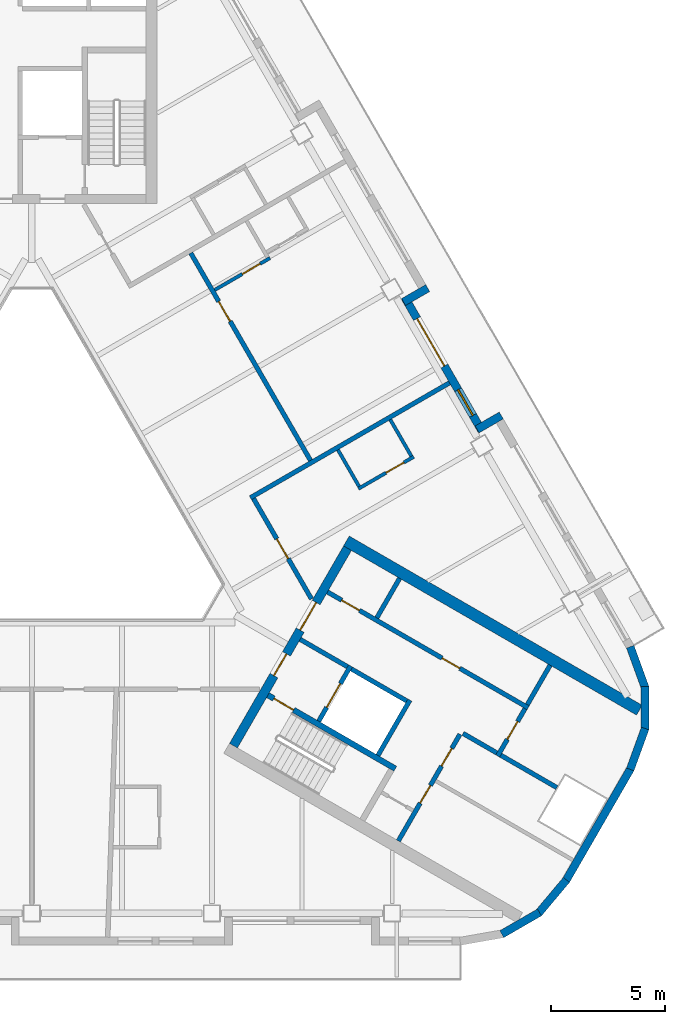
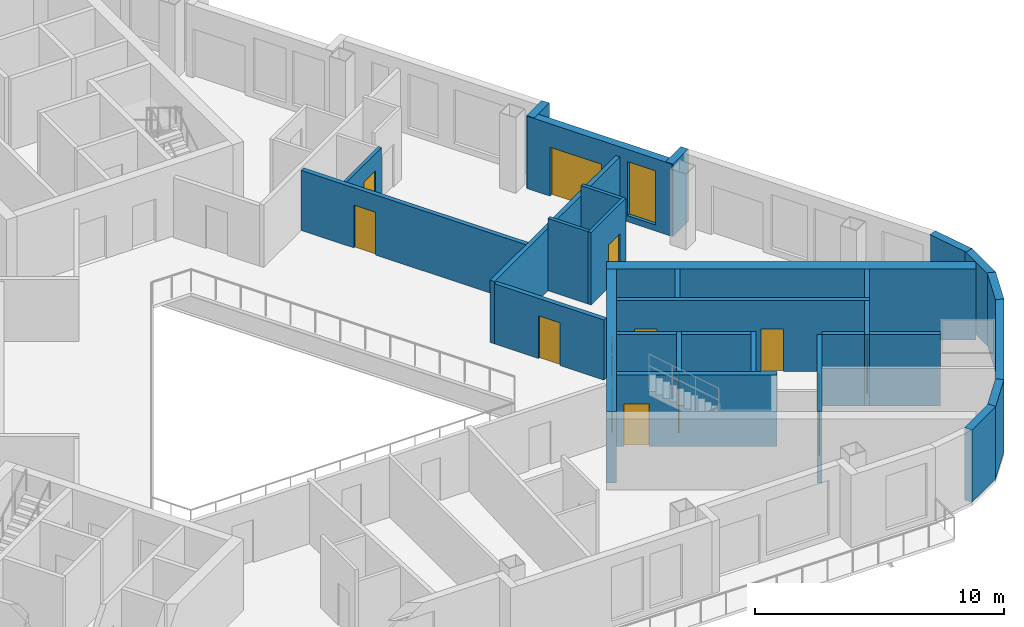
# One storey, part 5 of 13: 30 walls, 14 doors, 1 window, 15 openings.
"""IFC4 building model written with IfcOpenShell, lengths in metres."""

from ifc_helpers import new_model, si_unit, direction, frame, frame_2d, origin, place, context, subcontext, project, spatial, rectangle, extrude, material, layer, layer_set, type_object, element, fill, save


model = new_model("IFC4")

# Units and contexts
model_context = context("Model", 3, precision=1e-05, world=origin(), true_north=direction((0.0, 1.0)))
body_context = subcontext(model_context, "Body", "Model", "MODEL_VIEW")
ifc_project = project(units=[si_unit("LENGTHUNIT", "METRE"), si_unit("AREAUNIT", "SQUARE_METRE"), si_unit("VOLUMEUNIT", "CUBIC_METRE"), si_unit("PLANEANGLEUNIT", "RADIAN"), si_unit("MASSUNIT", "GRAM", prefix="KILO")], contexts=[model_context])

# Site, building, storey
site_placement = place(None, origin())
site = spatial("IfcSite", under=ifc_project, at=site_placement, CompositionType="ELEMENT")
building_placement = place(site_placement, origin())
building = spatial("IfcBuilding", under=site, at=building_placement, Name="Apuvela Tower Hotel", CompositionType="ELEMENT")
storey_placement = place(building_placement, frame((0.0, 0.0, 187.300048828125)))
storey = spatial("IfcBuildingStorey", under=building, at=storey_placement, Name="L45", CompositionType="ELEMENT", Elevation=187.300048828125)

# Wall, openings, doors
ifc_material_1 = material(Name="Concrete C50/60", Category="concrete")
ifc_layer_1 = layer(ifc_material_1, 0.39990234375)
ifc_layer_set_1 = layer_set([ifc_layer_1], Name="COR-WALL-CORE-400")
wall_type_1 = type_object("IfcWallType", Name="COR-WALL-CORE-400", PredefinedType="SHEAR", material=ifc_layer_set_1)
wall_1_placement = place(storey_placement, frame((8.844970703125, -10.880126953125, 0.0), z_axis=(0.0, 0.0, 1.0), x_axis=(0.500004234368, 0.866022959057, 0.0)))
wall_1 = element("IfcWall", 1, at=wall_1_placement, inside=storey, type_object=wall_type_1, Name="Core wall SE", PredefinedType="SHEAR", context=body_context, shape_type="SweptSolid", body=[
    extrude(rectangle(XDim=10.0, YDim=0.39990234375, at=frame_2d((5.0, 0.0))), origin(), (0.0, 0.0, 1.0), 3.5),
])
opening_1_placement = place(wall_1_placement, frame((3.550048828125, 0.0, 0.0)))
opening_1 = element("IfcOpeningElement", 2, at=opening_1_placement, cuts=wall_1, Name="Opening E-FD", PredefinedType="OPENING", context=body_context, shape_type="SweptSolid", body=[
    extrude(rectangle(XDim=1.10009765625, YDim=2.10009765625, at=frame_2d((0.550048828125, 1.050048828125))), frame((0.0, 0.2099609375, 0.0), z_axis=(0.0, -1.0, 0.0), x_axis=(1.0, 0.0, 0.0)), (0.0, 0.0, 1.0), 0.419921875),
])
opening_2_placement = place(wall_1_placement, frame((5.85009765625, 0.0, 0.0)))
opening_2 = element("IfcOpeningElement", 3, at=opening_2_placement, cuts=wall_1, Name="Opening E-GD", PredefinedType="OPENING", context=body_context, shape_type="SweptSolid", body=[
    extrude(rectangle(XDim=1.39990234375, YDim=2.10009765625, at=frame_2d((0.699951171875, 1.050048828125))), frame((0.0, 0.2099609375, 0.0), z_axis=(0.0, -1.0, 0.0), x_axis=(1.0, 0.0, 0.0)), (0.0, 0.0, 1.0), 0.419921875),
])
ifc_material_2 = material(Name="Steel fire door, powder coated", Category="steel")
door_type_1 = type_object("IfcDoorType", Name="COR-FD-1100", OperationType="NOTDEFINED", PredefinedType="DOOR", material=ifc_material_2)
door_1_placement = place(opening_1_placement, frame((1.10009765625, 0.0, 0.0), z_axis=(0.0, 0.0, 1.0), x_axis=(-1.0, 0.0, 0.0)))
door_1 = element("IfcDoor", 4, at=door_1_placement, inside=storey, type_object=door_type_1, Name="Firefighting lobby door E-FD", OperationType="SINGLE_SWING_LEFT", OverallHeight=2.10009765625, OverallWidth=1.10009765625, PredefinedType="DOOR", context=body_context, shape_type="SweptSolid", body=[
    extrude(rectangle(XDim=1.10009765625, YDim=2.10009765625, at=frame_2d((0.550048828125, 1.050048828125))), frame((0.0, 0.02490234375, 0.0), z_axis=(0.0, -1.0, 0.0), x_axis=(1.0, 0.0, 0.0)), (0.0, 0.0, 1.0), 0.050048828125),
])
fill(opening_1, door_1)
ifc_material_3 = material(Name="Glazed steel fire door", Category="steel")
door_type_2 = type_object("IfcDoorType", Name="COR-GD-1400", OperationType="DOUBLE_DOOR_SINGLE_SWING", PredefinedType="DOOR", material=ifc_material_3)
door_2_placement = place(opening_2_placement, frame((1.39990234375, 0.0, 0.0), z_axis=(0.0, 0.0, 1.0), x_axis=(-1.0, 0.0, 0.0)))
door_2 = element("IfcDoor", 5, at=door_2_placement, inside=storey, type_object=door_type_2, Name="Lift lobby door E-GD", OperationType="DOUBLE_DOOR_SINGLE_SWING", OverallHeight=2.10009765625, OverallWidth=1.39990234375, PredefinedType="DOOR", context=body_context, shape_type="SweptSolid", body=[
    extrude(rectangle(XDim=1.39990234375, YDim=2.10009765625, at=frame_2d((0.699951171875, 1.050048828125))), frame((0.0, 0.02490234375, 0.0), z_axis=(0.0, -1.0, 0.0), x_axis=(1.0, 0.0, 0.0)), (0.0, 0.0, 1.0), 0.050048828125),
])
fill(opening_2, door_2)

# Wall
ifc_layer_2 = layer(ifc_material_1, 0.5)
ifc_layer_set_2 = layer_set([ifc_layer_2], Name="COR-WALL-CORE-500")
wall_type_2 = type_object("IfcWallType", Name="COR-WALL-CORE-500", PredefinedType="SHEAR", material=ifc_layer_set_2)
wall_2_placement = place(storey_placement, frame((13.796630859375, -1.9033203125, 0.0), z_axis=(0.0, 0.0, 1.0), x_axis=(0.866025009528, -0.500000682871, 0.0)))
element("IfcWall", 6, at=wall_2_placement, inside=storey, type_object=wall_type_2, Name="Core wall SE", PredefinedType="SHEAR", context=body_context, shape_type="SweptSolid", body=[
    extrude(rectangle(XDim=14.8369140625, YDim=0.5, at=frame_2d((7.41845703125, 0.0))), origin(), (0.0, 0.0, 1.0), 3.5),
])

# Wall, openings, doors
ifc_material_4 = material(Name="Blockwork 200 mm plastered", Category="masonry")
ifc_layer_3 = layer(ifc_material_4, 0.199951171875)
ifc_layer_set_3 = layer_set([ifc_layer_3], Name="COR-WALL-PART-200")
wall_type_3 = type_object("IfcWallType", Name="COR-WALL-PART-200", PredefinedType="PARTITIONING", material=ifc_layer_set_3)
wall_3_placement = place(storey_placement, frame((16.076171875, -15.05517578125, 0.0), z_axis=(0.0, 0.0, 1.0), x_axis=(0.499995103361, 0.866028230842, 0.0)))
wall_3 = element("IfcWall", 7, at=wall_3_placement, inside=storey, type_object=wall_type_3, Name="Partition SE", PredefinedType="PARTITIONING", context=body_context, shape_type="SweptSolid", body=[
    extrude(rectangle(XDim=5.39990234375, YDim=0.199951171875, at=frame_2d((2.699951171875, 0.0))), origin(), (0.0, 0.0, 1.0), 3.5),
])
opening_3_placement = place(wall_3_placement, frame((1.91259765625, 0.0, 0.0)))
opening_3 = element("IfcOpeningElement", 8, at=opening_3_placement, cuts=wall_3, Name="Opening E-RS1", PredefinedType="OPENING", context=body_context, shape_type="SweptSolid", body=[
    extrude(rectangle(XDim=0.89990234375, YDim=2.10009765625, at=frame_2d((0.449951171875, 1.050048828125))), frame((0.0, 0.10986328125, 0.0), z_axis=(0.0, -1.0, 0.0), x_axis=(1.0, 0.0, 0.0)), (0.0, 0.0, 1.0), 0.219970703125),
])
opening_4_placement = place(wall_3_placement, frame((3.78759765625, 0.0, 0.0)))
opening_4 = element("IfcOpeningElement", 9, at=opening_4_placement, cuts=wall_3, Name="Opening E-RS2", PredefinedType="OPENING", context=body_context, shape_type="SweptSolid", body=[
    extrude(rectangle(XDim=0.89990234375, YDim=2.10009765625, at=frame_2d((0.449951171875, 1.050048828125))), frame((0.0, 0.10986328125, 0.0), z_axis=(0.0, -1.0, 0.0), x_axis=(1.0, 0.0, 0.0)), (0.0, 0.0, 1.0), 0.219970703125),
])
door_type_3 = type_object("IfcDoorType", Name="COR-DR-900", OperationType="NOTDEFINED", PredefinedType="DOOR", material=ifc_material_2)
door_3_placement = place(opening_3_placement, frame((0.89990234375, 0.0, 0.0), z_axis=(0.0, 0.0, 1.0), x_axis=(-1.0, 0.0, 0.0)))
door_3 = element("IfcDoor", 10, at=door_3_placement, inside=storey, type_object=door_type_3, Name="Store door E-RS1", OperationType="SINGLE_SWING_LEFT", OverallHeight=2.10009765625, OverallWidth=0.89990234375, PredefinedType="DOOR", context=body_context, shape_type="SweptSolid", body=[
    extrude(rectangle(XDim=0.89990234375, YDim=2.10009765625, at=frame_2d((0.449951171875, 1.050048828125))), frame((0.0, 0.02490234375, 0.0), z_axis=(0.0, -1.0, 0.0), x_axis=(1.0, 0.0, 0.0)), (0.0, 0.0, 1.0), 0.050048828125),
])
fill(opening_3, door_3)
door_4_placement = place(opening_4_placement, frame((0.89990234375, 0.0, 0.0), z_axis=(0.0, 0.0, 1.0), x_axis=(-1.0, 0.0, 0.0)))
door_4 = element("IfcDoor", 11, at=door_4_placement, inside=storey, type_object=door_type_3, Name="Store door E-RS2", OperationType="SINGLE_SWING_LEFT", OverallHeight=2.10009765625, OverallWidth=0.89990234375, PredefinedType="DOOR", context=body_context, shape_type="SweptSolid", body=[
    extrude(rectangle(XDim=0.89990234375, YDim=2.10009765625, at=frame_2d((0.449951171875, 1.050048828125))), frame((0.0, 0.02490234375, 0.0), z_axis=(0.0, -1.0, 0.0), x_axis=(1.0, 0.0, 0.0)), (0.0, 0.0, 1.0), 0.050048828125),
])
fill(opening_4, door_4)

# Wall
ifc_layer_4 = layer(ifc_material_1, 0.199951171875)
ifc_layer_set_4 = layer_set([ifc_layer_4], Name="COR-WALL-SHAFT-200")
wall_type_4 = type_object("IfcWallType", Name="COR-WALL-SHAFT-200", PredefinedType="SHEAR", material=ifc_layer_set_4)
wall_4_placement = place(storey_placement, frame((15.181396484375, -11.305419921875, 0.0), z_axis=(0.0, 0.0, 1.0), x_axis=(0.49994636267, 0.866056369097, 0.0)))
element("IfcWall", 12, at=wall_4_placement, inside=storey, type_object=wall_type_4, Name="Shaft wall SE", PredefinedType="SHEAR", context=body_context, shape_type="SweptSolid", body=[
    extrude(rectangle(XDim=2.800048828125, YDim=0.199951171875, at=frame_2d((1.39990234375, 0.0))), origin(), (0.0, 0.0, 1.0), 3.5),
])

# Wall, opening, door
wall_5_placement = place(storey_placement, frame((12.583251953125, -9.805419921875, 0.0), z_axis=(0.0, 0.0, 1.0), x_axis=(0.49994636267, 0.866056369097, 0.0)))
wall_5 = element("IfcWall", 13, at=wall_5_placement, inside=storey, type_object=wall_type_4, Name="Shaft wall SE", PredefinedType="SHEAR", context=body_context, shape_type="SweptSolid", body=[
    extrude(rectangle(XDim=2.800048828125, YDim=0.199951171875, at=frame_2d((1.39990234375, 0.0))), origin(), (0.0, 0.0, 1.0), 3.5),
])
opening_5_placement = place(wall_5_placement, frame((0.699951171875, 0.0, 0.0)))
opening_5 = element("IfcOpeningElement", 14, at=opening_5_placement, cuts=wall_5, Name="Opening E-LD-FS3", PredefinedType="OPENING", context=body_context, shape_type="SweptSolid", body=[
    extrude(rectangle(XDim=1.199951171875, YDim=2.10009765625, at=frame_2d((0.60009765625, 1.050048828125))), frame((0.0, 0.10986328125, 0.0), z_axis=(0.0, -1.0, 0.0), x_axis=(1.0, 0.0, 0.0)), (0.0, 0.0, 1.0), 0.219970703125),
])
ifc_material_5 = material(Name="Stainless steel lift landing door", Category="steel")
door_type_4 = type_object("IfcDoorType", Name="COR-LD-1200", OperationType="DOUBLE_DOOR_SLIDING", PredefinedType="DOOR", material=ifc_material_5)
door_5_placement = place(opening_5_placement, origin())
door_5 = element("IfcDoor", 15, at=door_5_placement, inside=storey, type_object=door_type_4, Name="Lift landing door E-LD-FS3", OperationType="DOUBLE_DOOR_SLIDING", OverallHeight=2.10009765625, OverallWidth=1.199951171875, PredefinedType="DOOR", context=body_context, shape_type="SweptSolid", body=[
    extrude(rectangle(XDim=1.199951171875, YDim=2.10009765625, at=frame_2d((0.60009765625, 1.050048828125))), frame((0.0, 0.02490234375, 0.0), z_axis=(0.0, -1.0, 0.0), x_axis=(1.0, 0.0, 0.0)), (0.0, 0.0, 1.0), 0.050048828125),
])
fill(opening_5, door_5)

# Walls
wall_6_placement = place(storey_placement, frame((11.76806640625, -6.217041015625, 0.0), z_axis=(0.0, 0.0, 1.0), x_axis=(0.866050077142, -0.499957262057, 0.0)))
element("IfcWall", 16, at=wall_6_placement, inside=storey, type_object=wall_type_4, Name="Shaft wall SE", PredefinedType="SHEAR", context=body_context, shape_type="SweptSolid", body=[
    extrude(rectangle(XDim=2.400146484375, YDim=0.199951171875, at=frame_2d((1.2001953125, 0.0))), origin(), (0.0, 0.0, 1.0), 3.5),
])
wall_7_placement = place(storey_placement, frame((14.019775390625, -7.51708984375, 0.0), z_axis=(0.0, 0.0, 1.0), x_axis=(0.866034573852, -0.49998411664, 0.0)))
element("IfcWall", 17, at=wall_7_placement, inside=storey, type_object=wall_type_4, Name="Shaft wall SE", PredefinedType="SHEAR", context=body_context, shape_type="SweptSolid", body=[
    extrude(rectangle(XDim=2.7998046875, YDim=0.199951171875, at=frame_2d((1.39990234375, 0.0))), origin(), (0.0, 0.0, 1.0), 3.5),
])

# Wall, openings, doors
wall_8_placement = place(storey_placement, frame((12.968017578125, -4.138427734375, 0.0), z_axis=(0.0, 0.0, 1.0), x_axis=(0.866028328073, -0.49999493495, 0.0)))
wall_8 = element("IfcWall", 18, at=wall_8_placement, inside=storey, type_object=wall_type_4, Name="Shaft wall SE", PredefinedType="SHEAR", context=body_context, shape_type="SweptSolid", body=[
    extrude(rectangle(XDim=10.16015625, YDim=0.199951171875, at=frame_2d((5.080078125, 0.0))), origin(), (0.0, 0.0, 1.0), 3.5),
])
opening_6_placement = place(wall_8_placement, frame((0.719970703125, 0.0, 0.0)))
opening_6 = element("IfcOpeningElement", 19, at=opening_6_placement, cuts=wall_8, Name="Opening E-RE1", PredefinedType="OPENING", context=body_context, shape_type="SweptSolid", body=[
    extrude(rectangle(XDim=0.89990234375, YDim=2.10009765625, at=frame_2d((0.449951171875, 1.050048828125))), frame((0.0, 0.10986328125, 0.0), z_axis=(0.0, -1.0, 0.0), x_axis=(1.0, 0.0, 0.0)), (0.0, 0.0, 1.0), 0.219970703125),
])
opening_7_placement = place(wall_8_placement, frame((5.800048828125, 0.0, 0.0)))
opening_7 = element("IfcOpeningElement", 20, at=opening_7_placement, cuts=wall_8, Name="Opening E-RE2", PredefinedType="OPENING", context=body_context, shape_type="SweptSolid", body=[
    extrude(rectangle(XDim=0.89990234375, YDim=2.10009765625, at=frame_2d((0.449951171875, 1.050048828125))), frame((0.0, 0.10986328125, 0.0), z_axis=(0.0, -1.0, 0.0), x_axis=(1.0, 0.0, 0.0)), (0.0, 0.0, 1.0), 0.219970703125),
])
door_6_placement = place(opening_6_placement, origin())
door_6 = element("IfcDoor", 21, at=door_6_placement, inside=storey, type_object=door_type_3, Name="Store door E-RE1", OperationType="SINGLE_SWING_LEFT", OverallHeight=2.10009765625, OverallWidth=0.89990234375, PredefinedType="DOOR", context=body_context, shape_type="SweptSolid", body=[
    extrude(rectangle(XDim=0.89990234375, YDim=2.10009765625, at=frame_2d((0.449951171875, 1.050048828125))), frame((0.0, 0.02490234375, 0.0), z_axis=(0.0, -1.0, 0.0), x_axis=(1.0, 0.0, 0.0)), (0.0, 0.0, 1.0), 0.050048828125),
])
fill(opening_6, door_6)
door_7_placement = place(opening_7_placement, origin())
door_7 = element("IfcDoor", 22, at=door_7_placement, inside=storey, type_object=door_type_3, Name="Store door E-RE2", OperationType="SINGLE_SWING_LEFT", OverallHeight=2.10009765625, OverallWidth=0.89990234375, PredefinedType="DOOR", context=body_context, shape_type="SweptSolid", body=[
    extrude(rectangle(XDim=0.89990234375, YDim=2.10009765625, at=frame_2d((0.449951171875, 1.050048828125))), frame((0.0, 0.02490234375, 0.0), z_axis=(0.0, -1.0, 0.0), x_axis=(1.0, 0.0, 0.0)), (0.0, 0.0, 1.0), 0.050048828125),
])
fill(opening_7, door_7)

# Wall, opening, door
wall_9_placement = place(storey_placement, frame((20.430419921875, -11.33349609375, 0.0), z_axis=(0.0, 0.0, 1.0), x_axis=(0.500001309137, 0.866024647952, 0.0)))
wall_9 = element("IfcWall", 23, at=wall_9_placement, inside=storey, type_object=wall_type_4, Name="Shaft wall SE", PredefinedType="SHEAR", context=body_context, shape_type="SweptSolid", body=[
    extrude(rectangle(XDim=2.39990234375, YDim=0.199951171875, at=frame_2d((1.199951171875, 0.0))), origin(), (0.0, 0.0, 1.0), 3.5),
])
opening_8_placement = place(wall_9_placement, frame((0.85009765625, 0.0, 0.0)))
opening_8 = element("IfcOpeningElement", 24, at=opening_8_placement, cuts=wall_9, Name="Opening E-REP", PredefinedType="OPENING", context=body_context, shape_type="SweptSolid", body=[
    extrude(rectangle(XDim=0.89990234375, YDim=2.10009765625, at=frame_2d((0.449951171875, 1.050048828125))), frame((0.0, 0.10986328125, 0.0), z_axis=(0.0, -1.0, 0.0), x_axis=(1.0, 0.0, 0.0)), (0.0, 0.0, 1.0), 0.219970703125),
])
door_8_placement = place(opening_8_placement, frame((0.89990234375, 0.0, 0.0), z_axis=(0.0, 0.0, 1.0), x_axis=(-1.0, 0.0, 0.0)))
door_8 = element("IfcDoor", 25, at=door_8_placement, inside=storey, type_object=door_type_3, Name="Store door E-REP", OperationType="SINGLE_SWING_RIGHT", OverallHeight=2.10009765625, OverallWidth=0.89990234375, PredefinedType="DOOR", context=body_context, shape_type="SweptSolid", body=[
    extrude(rectangle(XDim=0.89990234375, YDim=2.10009765625, at=frame_2d((0.449951171875, 1.050048828125))), frame((0.0, 0.02490234375, 0.0), z_axis=(0.0, -1.0, 0.0), x_axis=(1.0, 0.0, 0.0)), (0.0, 0.0, 1.0), 0.050048828125),
])
fill(opening_8, door_8)

# Walls
wall_10_placement = place(storey_placement, frame((18.912841796875, -10.342041015625, 0.0), z_axis=(0.0, 0.0, 1.0), x_axis=(0.866038183914, -0.499977863513, 0.0)))
element("IfcWall", 26, at=wall_10_placement, inside=storey, type_object=wall_type_4, Name="Shaft wall SE", PredefinedType="SHEAR", context=body_context, shape_type="SweptSolid", body=[
    extrude(rectangle(XDim=1.7099609375, YDim=0.199951171875, at=frame_2d((0.85498046875, 0.0))), origin(), (0.0, 0.0, 1.0), 3.5),
])
for number, where, z_axis, x_axis, name in (
    (27, (15.131103515625, -5.27197265625, 0.0), (0.0, 0.0, 1.0), (0.499972520799, 0.866041268327, 0.0), "Shaft wall SE"),
    (28, (21.73046875, -9.081787109375, 0.0), (0.0, 0.0, 1.0), (0.50002537861, 0.866010750942, 0.0), "Shaft wall SE"),
):
    element("IfcWall", number, at=place(storey_placement, frame(where, z_axis=z_axis, x_axis=x_axis)), inside=storey, type_object=wall_type_4, Name=name, PredefinedType="SHEAR", context=body_context, shape_type="SweptSolid", body=[
        extrude(rectangle(XDim=2.0, YDim=0.199951171875, at=frame_2d((1.0, 0.0))), origin(), (0.0, 0.0, 1.0), 3.5),
    ])
wall_11_placement = place(storey_placement, frame((20.56689453125, -11.297119140625, 0.0), z_axis=(0.0, 0.0, 1.0), x_axis=(0.866055327414, -0.49994816717, 0.0)))
element("IfcWall", 29, at=wall_11_placement, inside=storey, type_object=wall_type_4, Name="Shaft wall SE", PredefinedType="SHEAR", context=body_context, shape_type="SweptSolid", body=[
    extrude(rectangle(XDim=2.840087890625, YDim=0.199951171875, at=frame_2d((1.419921875, 0.0))), origin(), (0.0, 0.0, 1.0), 3.5),
])

# Wall, opening, door
ifc_layer_5 = layer(ifc_material_1, 0.25)
ifc_layer_set_5 = layer_set([ifc_layer_5], Name="COR-WALL-STAIR-250")
wall_type_5 = type_object("IfcWallType", Name="COR-WALL-STAIR-250", PredefinedType="SHEAR", material=ifc_layer_set_5)
wall_12_placement = place(storey_placement, frame((10.355712890625, -8.66357421875, 0.0), z_axis=(0.0, 0.0, 1.0), x_axis=(0.866028629588, -0.499994412703, 0.0)))
wall_12 = element("IfcWall", 30, at=wall_12_placement, inside=storey, type_object=wall_type_5, Name="Stair wall SE", PredefinedType="SHEAR", context=body_context, shape_type="SweptSolid", body=[
    extrude(rectangle(XDim=6.44970703125, YDim=0.25, at=frame_2d((3.224853515625, 0.0))), origin(), (0.0, 0.0, 1.0), 3.5),
])
opening_9_placement = place(wall_12_placement, frame((0.300048828125, 0.0, 0.0)))
opening_9 = element("IfcOpeningElement", 31, at=opening_9_placement, cuts=wall_12, Name="Opening E-SD", PredefinedType="OPENING", context=body_context, shape_type="SweptSolid", body=[
    extrude(rectangle(XDim=1.0, YDim=2.10009765625, at=frame_2d((0.5, 1.050048828125))), frame((0.0, 0.135009765625, 0.0), z_axis=(0.0, -1.0, 0.0), x_axis=(1.0, 0.0, 0.0)), (0.0, 0.0, 1.0), 0.27001953125),
])
door_type_5 = type_object("IfcDoorType", Name="COR-SD-1000", OperationType="NOTDEFINED", PredefinedType="DOOR", material=ifc_material_2)
door_9_placement = place(opening_9_placement, frame((1.0, 0.0, 0.0), z_axis=(0.0, 0.0, 1.0), x_axis=(-1.0, 0.0, 0.0)))
door_9 = element("IfcDoor", 32, at=door_9_placement, inside=storey, type_object=door_type_5, Name="Stair door E-SD", OperationType="SINGLE_SWING_LEFT", OverallHeight=2.10009765625, OverallWidth=1.0, PredefinedType="DOOR", context=body_context, shape_type="SweptSolid", body=[
    extrude(rectangle(XDim=1.0, YDim=2.10009765625, at=frame_2d((0.5, 1.050048828125))), frame((0.0, 0.02490234375, 0.0), z_axis=(0.0, -1.0, 0.0), x_axis=(1.0, 0.0, 0.0)), (0.0, 0.0, 1.0), 0.050048828125),
])
fill(opening_9, door_9)

# Walls
ifc_material_6 = material(Name="Concrete C40/50, dark pigmented precast panel", Category="concrete")
ifc_layer_6 = layer(ifc_material_6, 0.35009765625)
ifc_layer_set_6 = layer_set([ifc_layer_6], Name="ENV-WALL-350")
wall_type_6 = type_object("IfcWallType", Name="ENV-WALL-350", PredefinedType="SOLIDWALL", material=ifc_layer_set_6)
for number, where, z_axis, x_axis, name in (
    (33, (20.609619140625, -19.146728515625, 0.0), (0.0, 0.0, 1.0), (0.866000389056, 0.500043324278, 0.0), "External wall L45-27"),
    (34, (22.21728515625, -18.230712890625, 0.0), (0.0, 0.0, 1.0), (0.642733291068, 0.76609001857, 0.0), "External wall L45-28"),
):
    element("IfcWall", number, at=place(storey_placement, frame(where, z_axis=z_axis, x_axis=x_axis)), inside=storey, type_object=wall_type_6, Name=name, PredefinedType="SOLIDWALL", context=body_context, shape_type="SweptSolid", body=[
        extrude(rectangle(XDim=1.909912109375, YDim=0.35009765625, at=frame_2d((0.955078125, 0.0))), origin(), (0.0, 0.0, 1.0), 3.550048828125),
    ])
wall_13_placement = place(storey_placement, frame((23.427490234375, -16.79248046875, 0.0), z_axis=(0.0, 0.0, 1.0), x_axis=(0.500018773155, 0.866014564827, 0.0)))
element("IfcWall", 35, at=wall_13_placement, inside=storey, type_object=wall_type_6, Name="External wall L45-29", PredefinedType="SOLIDWALL", context=body_context, shape_type="SweptSolid", body=[
    extrude(rectangle(XDim=5.657958984375, YDim=0.35009765625, at=frame_2d((2.8291015625, 0.0))), origin(), (0.0, 0.0, 1.0), 3.550048828125),
])
for number, where, z_axis, x_axis, name in (
    (36, (26.24365234375, -11.920166015625, 0.0), (0.0, 0.0, 1.0), (0.342030395486, 0.939688889242, 0.0), "External wall L45-30"),
    (37, (26.88623046875, -10.18505859375, 0.0), (0.0, 0.0, 1.0), (0.0, 1.0, 0.0), "External wall L45-31"),
    (38, (26.89697265625, -8.334716796875, 0.0), (0.0, 0.0, 1.0), (-0.342030395486, 0.939688889242, 0.0), "External wall L45-32"),
):
    element("IfcWall", number, at=place(storey_placement, frame(where, z_axis=z_axis, x_axis=x_axis)), inside=storey, type_object=wall_type_6, Name=name, PredefinedType="SOLIDWALL", context=body_context, shape_type="SweptSolid", body=[
        extrude(rectangle(XDim=1.91015625, YDim=0.35009765625, at=frame_2d((0.955078125, 0.0))), origin(), (0.0, 0.0, 1.0), 3.550048828125),
    ])
wall_14_placement = place(storey_placement, frame((20.587646484375, 3.601318359375, 0.0), z_axis=(0.0, 0.0, 1.0), x_axis=(-0.866005645448, -0.500034220881, 0.0)))
element("IfcWall", 39, at=wall_14_placement, inside=storey, type_object=wall_type_6, Name="External wall L45-34", PredefinedType="SOLIDWALL", context=body_context, shape_type="SweptSolid", body=[
    extrude(rectangle(XDim=1.22021484375, YDim=0.35009765625, at=frame_2d((0.610107421875, 0.0))), origin(), (0.0, 0.0, 1.0), 3.550048828125),
])

# Wall, openings, door, window
wall_15_placement = place(storey_placement, frame((19.72900390625, 2.93798828125, 0.0), z_axis=(0.0, 0.0, 1.0), x_axis=(-0.499976430342, 0.866039011305, 0.0)))
wall_15 = element("IfcWall", 40, at=wall_15_placement, inside=storey, type_object=wall_type_6, Name="External wall L45-35", PredefinedType="SOLIDWALL", context=body_context, shape_type="SweptSolid", body=[
    extrude(rectangle(XDim=6.739990234375, YDim=0.35009765625, at=frame_2d((3.3701171875, 0.0))), origin(), (0.0, 0.0, 1.0), 3.550048828125),
])
opening_10_placement = place(wall_15_placement, frame((0.77001953125, 0.0, 0.300048828125)))
opening_10 = element("IfcOpeningElement", 41, at=opening_10_placement, cuts=wall_15, Name="Opening WN13", PredefinedType="OPENING", context=body_context, shape_type="SweptSolid", body=[
    extrude(rectangle(XDim=1.300048828125, YDim=2.64990234375, at=frame_2d((0.64990234375, 1.324951171875))), frame((0.0, 0.18505859375, 0.0), z_axis=(0.0, -1.0, 0.0), x_axis=(1.0, 0.0, 0.0)), (0.0, 0.0, 1.0), 0.3701171875),
])
opening_11_placement = place(wall_15_placement, frame((3.270263671875, 0.0, 0.0)))
opening_11 = element("IfcOpeningElement", 42, at=opening_11_placement, cuts=wall_15, Name="Opening BD24", PredefinedType="OPENING", context=body_context, shape_type="SweptSolid", body=[
    extrude(rectangle(XDim=2.39990234375, YDim=2.39990234375, at=frame_2d((1.199951171875, 1.199951171875))), frame((0.0, 0.18505859375, 0.0), z_axis=(0.0, -1.0, 0.0), x_axis=(1.0, 0.0, 0.0)), (0.0, 0.0, 1.0), 0.3701171875),
])
ifc_material_7 = material(Name="Aluminium 6063-T6, dark bronze anodised frame with dark tinted laminated glass", Category="aluminium")
door_type_6 = type_object("IfcDoorType", Name="ENV-DOOR-BALCONY-2400x2400", OperationType="SLIDING_TO_LEFT", PredefinedType="DOOR", material=ifc_material_7)
door_10_placement = place(opening_11_placement, frame((2.39990234375, 0.0, 0.0), z_axis=(0.0, 0.0, 1.0), x_axis=(-1.0, 0.0, 0.0)))
door_10 = element("IfcDoor", 43, at=door_10_placement, inside=storey, type_object=door_type_6, Name="Balcony door BD24", OperationType="SLIDING_TO_LEFT", OverallHeight=2.39990234375, OverallWidth=2.39990234375, PredefinedType="DOOR", context=body_context, shape_type="SweptSolid", body=[
    extrude(rectangle(XDim=2.39990234375, YDim=2.39990234375, at=frame_2d((1.199951171875, 1.199951171875))), frame((0.0, 0.02490234375, 0.0), z_axis=(0.0, -1.0, 0.0), x_axis=(1.0, 0.0, 0.0)), (0.0, 0.0, 1.0), 0.050048828125),
])
fill(opening_11, door_10)
ifc_material_8 = material(Name="Glass, dark tinted laminated insulated glazing unit", Category="glass")
window_type = type_object("IfcWindowType", Name="ENV-WIN-1300x2650", PartitioningType="SINGLE_PANEL", PredefinedType="WINDOW", material=ifc_material_8)
window_placement = place(opening_10_placement, origin())
window = element("IfcWindow", 44, at=window_placement, inside=storey, type_object=window_type, Name="Window WN13", OverallHeight=2.64990234375, OverallWidth=1.300048828125, PartitioningType="SINGLE_PANEL", PredefinedType="WINDOW", context=body_context, shape_type="SweptSolid", body=[
    extrude(rectangle(XDim=1.300048828125, YDim=2.64990234375, at=frame_2d((0.64990234375, 1.324951171875))), frame((0.0, 0.030029296875, 0.0), z_axis=(0.0, -1.0, 0.0), x_axis=(1.0, 0.0, 0.0)), (0.0, 0.0, 1.0), 0.06005859375),
])
fill(opening_10, window)

# Walls
wall_16_placement = place(storey_placement, frame((16.305908203125, 8.5771484375, 0.0), z_axis=(0.0, 0.0, 1.0), x_axis=(0.866092288191, 0.499884134912, 0.0)))
element("IfcWall", 45, at=wall_16_placement, inside=storey, type_object=wall_type_6, Name="External wall L45-36", PredefinedType="SOLIDWALL", context=body_context, shape_type="SweptSolid", body=[
    extrude(rectangle(XDim=1.219970703125, YDim=0.35009765625, at=frame_2d((0.60986328125, 0.0))), origin(), (0.0, 0.0, 1.0), 3.550048828125),
])
ifc_material_9 = material(Name="Gypsum board partition on twin steel stud", Category="steel")
ifc_layer_7 = layer(ifc_material_9, 0.199951171875)
ifc_layer_set_7 = layer_set([ifc_layer_7], Name="GST-PW1")
wall_type_7 = type_object("IfcWallType", Name="GST-PW1", PredefinedType="PARTITIONING", material=ifc_layer_set_7)
wall_17_placement = place(storey_placement, frame((18.317626953125, 5.033203125, 0.0), z_axis=(0.0, 0.0, 1.0), x_axis=(-0.866028692387, -0.49999430393, 0.0)))
element("IfcWall", 46, at=wall_17_placement, inside=storey, type_object=wall_type_7, Name="L45 partition 03", PredefinedType="PARTITIONING", context=body_context, shape_type="SweptSolid", body=[
    extrude(rectangle(XDim=10.080078125, YDim=0.199951171875, at=frame_2d((5.0400390625, 0.0))), origin(), (0.0, 0.0, 1.0), 3.06005859375),
])

# Wall, opening, door
ifc_material_10 = material(Name="Gypsum board corridor wall on twin steel stud, acoustic", Category="steel")
ifc_layer_8 = layer(ifc_material_10, 0.199951171875)
ifc_layer_set_8 = layer_set([ifc_layer_8], Name="GST-PW2")
wall_type_8 = type_object("IfcWallType", Name="GST-PW2", PredefinedType="PARTITIONING", material=ifc_layer_set_8)
wall_18_placement = place(storey_placement, frame((9.724609375, -0.04345703125, 0.0), z_axis=(0.0, 0.0, 1.0), x_axis=(0.500014573982, -0.866016989329, 0.0)))
wall_18 = element("IfcWall", 47, at=wall_18_placement, inside=storey, type_object=wall_type_8, Name="L45 partition 18", PredefinedType="PARTITIONING", context=body_context, shape_type="SweptSolid", body=[
    extrude(rectangle(XDim=5.088134765625, YDim=0.199951171875, at=frame_2d((2.5439453125, 0.0))), origin(), (0.0, 0.0, 1.0), 2.949951171875),
])
opening_12_placement = place(wall_18_placement, frame((2.044189453125, 0.0, 0.0)))
opening_12 = element("IfcOpeningElement", 48, at=opening_12_placement, cuts=wall_18, Name="Opening GD17-08", PredefinedType="OPENING", context=body_context, shape_type="SweptSolid", body=[
    extrude(rectangle(XDim=1.0, YDim=2.10009765625, at=frame_2d((0.5, 1.050048828125))), frame((0.0, 0.10986328125, 0.0), z_axis=(0.0, -1.0, 0.0), x_axis=(1.0, 0.0, 0.0)), (0.0, 0.0, 1.0), 0.219970703125),
])
ifc_material_11 = material(Name="Timber door leaf in steel frame", Category="steel")
door_type_7 = type_object("IfcDoorType", Name="GST-D1", OperationType="NOTDEFINED", PredefinedType="DOOR", material=ifc_material_11)
door_11_placement = place(opening_12_placement, origin())
door_11 = element("IfcDoor", 49, at=door_11_placement, inside=storey, type_object=door_type_7, Name="Door L45-08", OperationType="SINGLE_SWING_LEFT", OverallHeight=2.10009765625, OverallWidth=1.0, PredefinedType="DOOR", context=body_context, shape_type="SweptSolid", body=[
    extrude(rectangle(XDim=1.0, YDim=2.10009765625, at=frame_2d((0.5, 1.050048828125))), frame((0.0, 0.02490234375, 0.0), z_axis=(0.0, -1.0, 0.0), x_axis=(1.0, 0.0, 0.0)), (0.0, 0.0, 1.0), 0.050048828125),
])
fill(opening_12, door_11)

wall_19_placement = place(storey_placement, frame((6.97265625, 10.722900390625, 0.0), z_axis=(0.0, 0.0, 1.0), x_axis=(0.500000207062, -0.866025284237, 0.0)))
wall_19 = element("IfcWall", 50, at=wall_19_placement, inside=storey, type_object=wall_type_8, Name="L45 partition 22", PredefinedType="PARTITIONING", context=body_context, shape_type="SweptSolid", body=[
    extrude(rectangle(XDim=10.5, YDim=0.199951171875, at=frame_2d((5.25, 0.0))), origin(), (0.0, 0.0, 1.0), 2.949951171875),
])
opening_13_placement = place(wall_19_placement, frame((2.449951171875, 0.0, 0.0)))
opening_13 = element("IfcOpeningElement", 51, at=opening_13_placement, cuts=wall_19, Name="Opening GD17-11", PredefinedType="OPENING", context=body_context, shape_type="SweptSolid", body=[
    extrude(rectangle(XDim=1.0, YDim=2.10009765625, at=frame_2d((0.5, 1.050048828125))), frame((0.0, 0.10986328125, 0.0), z_axis=(0.0, -1.0, 0.0), x_axis=(1.0, 0.0, 0.0)), (0.0, 0.0, 1.0), 0.219970703125),
])
door_12_placement = place(opening_13_placement, origin())
door_12 = element("IfcDoor", 52, at=door_12_placement, inside=storey, type_object=door_type_7, Name="Door L45-11", OperationType="SINGLE_SWING_RIGHT", OverallHeight=2.10009765625, OverallWidth=1.0, PredefinedType="DOOR", context=body_context, shape_type="SweptSolid", body=[
    extrude(rectangle(XDim=1.0, YDim=2.10009765625, at=frame_2d((0.5, 1.050048828125))), frame((0.0, 0.02490234375, 0.0), z_axis=(0.0, -1.0, 0.0), x_axis=(1.0, 0.0, 0.0)), (0.0, 0.0, 1.0), 0.050048828125),
])
fill(opening_13, door_12)

ifc_material_12 = material(Name="Moisture-resistant gypsum board wet wall on steel stud", Category="steel")
ifc_layer_9 = layer(ifc_material_12, 0.14990234375)
ifc_layer_set_9 = layer_set([ifc_layer_9], Name="GST-PW3")
wall_type_9 = type_object("IfcWallType", Name="GST-PW3", PredefinedType="PARTITIONING", material=ifc_layer_set_9)
wall_20_placement = place(storey_placement, frame((14.324462890625, 0.389404296875, 0.0), z_axis=(0.0, 0.0, 1.0), x_axis=(0.866034573852, 0.49998411664, 0.0)))
wall_20 = element("IfcWall", 53, at=wall_20_placement, inside=storey, type_object=wall_type_9, Name="L45 partition 19", PredefinedType="PARTITIONING", context=body_context, shape_type="SweptSolid", body=[
    extrude(rectangle(XDim=2.7998046875, YDim=0.14990234375, at=frame_2d((1.39990234375, 0.0))), origin(), (0.0, 0.0, 1.0), 3.550048828125),
])
opening_14_placement = place(wall_20_placement, frame((1.39990234375, 0.0, 0.0)))
opening_14 = element("IfcOpeningElement", 54, at=opening_14_placement, cuts=wall_20, Name="Opening GD17-07", PredefinedType="OPENING", context=body_context, shape_type="SweptSolid", body=[
    extrude(rectangle(XDim=0.89990234375, YDim=2.10009765625, at=frame_2d((0.449951171875, 1.050048828125))), frame((0.0, 0.0849609375, 0.0), z_axis=(0.0, -1.0, 0.0), x_axis=(1.0, 0.0, 0.0)), (0.0, 0.0, 1.0), 0.169921875),
])
door_type_8 = type_object("IfcDoorType", Name="GST-D2", OperationType="NOTDEFINED", PredefinedType="DOOR", material=ifc_material_11)
door_13_placement = place(opening_14_placement, origin())
door_13 = element("IfcDoor", 55, at=door_13_placement, inside=storey, type_object=door_type_8, Name="Door L45-07", OperationType="SINGLE_SWING_RIGHT", OverallHeight=2.10009765625, OverallWidth=0.89990234375, PredefinedType="DOOR", context=body_context, shape_type="SweptSolid", body=[
    extrude(rectangle(XDim=0.89990234375, YDim=2.10009765625, at=frame_2d((0.449951171875, 1.050048828125))), frame((0.0, 0.02490234375, 0.0), z_axis=(0.0, -1.0, 0.0), x_axis=(1.0, 0.0, 0.0)), (0.0, 0.0, 1.0), 0.050048828125),
])
fill(opening_14, door_13)

# Walls
wall_21_placement = place(storey_placement, frame((16.646728515625, 1.81689453125, 0.0), z_axis=(0.0, 0.0, 1.0), x_axis=(-0.500042316284, 0.866000971088, 0.0)))
element("IfcWall", 56, at=wall_21_placement, inside=storey, type_object=wall_type_9, Name="L45 partition 20", PredefinedType="PARTITIONING", context=body_context, shape_type="SweptSolid", body=[
    extrude(rectangle(XDim=1.849853515625, YDim=0.14990234375, at=frame_2d((0.9248046875, 0.0))), origin(), (0.0, 0.0, 1.0), 3.550048828125),
])
wall_22_placement = place(storey_placement, frame((14.351806640625, 0.49169921875, 0.0), z_axis=(0.0, 0.0, 1.0), x_axis=(-0.499886193382, 0.866091100096, 0.0)))
element("IfcWall", 57, at=wall_22_placement, inside=storey, type_object=wall_type_9, Name="L45 partition 21", PredefinedType="PARTITIONING", context=body_context, shape_type="SweptSolid", body=[
    extrude(rectangle(XDim=1.85009765625, YDim=0.14990234375, at=frame_2d((0.925048828125, 0.0))), origin(), (0.0, 0.0, 1.0), 3.550048828125),
])

# Wall, opening, door
wall_23_placement = place(storey_placement, frame((8.021728515625, 9.105712890625, 0.0), z_axis=(0.0, 0.0, 1.0), x_axis=(0.866018616679, 0.500011755427, 0.0)))
wall_23 = element("IfcWall", 58, at=wall_23_placement, inside=storey, type_object=wall_type_9, Name="L45 partition 23", PredefinedType="PARTITIONING", context=body_context, shape_type="SweptSolid", body=[
    extrude(rectangle(XDim=2.80029296875, YDim=0.14990234375, at=frame_2d((1.400146484375, 0.0))), origin(), (0.0, 0.0, 1.0), 2.949951171875),
])
opening_15_placement = place(wall_23_placement, frame((1.39990234375, 0.0, 0.0)))
opening_15 = element("IfcOpeningElement", 59, at=opening_15_placement, cuts=wall_23, Name="Opening GD17-09", PredefinedType="OPENING", context=body_context, shape_type="SweptSolid", body=[
    extrude(rectangle(XDim=0.89990234375, YDim=2.10009765625, at=frame_2d((0.449951171875, 1.050048828125))), frame((0.0, 0.0849609375, 0.0), z_axis=(0.0, -1.0, 0.0), x_axis=(1.0, 0.0, 0.0)), (0.0, 0.0, 1.0), 0.169921875),
])
door_14_placement = place(opening_15_placement, origin())
door_14 = element("IfcDoor", 60, at=door_14_placement, inside=storey, type_object=door_type_8, Name="Door L45-09", OperationType="SINGLE_SWING_RIGHT", OverallHeight=2.10009765625, OverallWidth=0.89990234375, PredefinedType="DOOR", context=body_context, shape_type="SweptSolid", body=[
    extrude(rectangle(XDim=0.89990234375, YDim=2.10009765625, at=frame_2d((0.449951171875, 1.050048828125))), frame((0.0, 0.02490234375, 0.0), z_axis=(0.0, -1.0, 0.0), x_axis=(1.0, 0.0, 0.0)), (0.0, 0.0, 1.0), 0.050048828125),
])
fill(opening_15, door_14)

save(model, "model.ifc")
